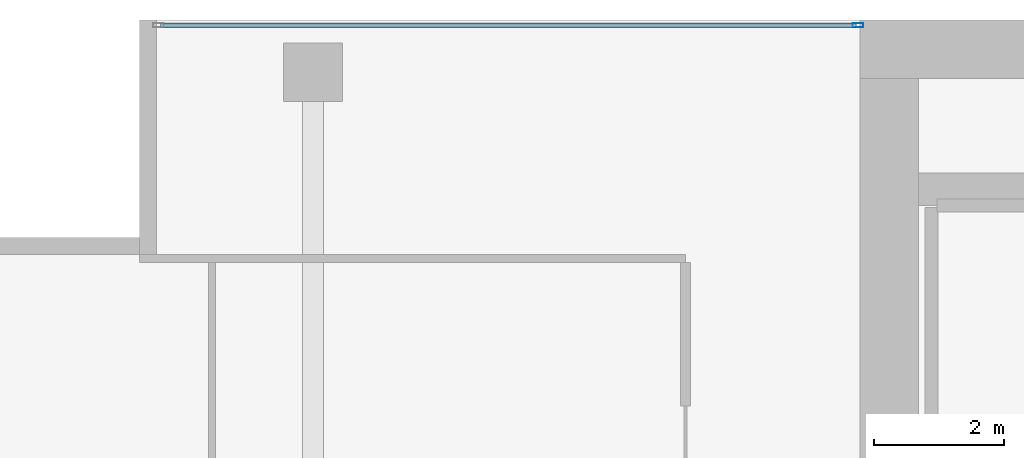
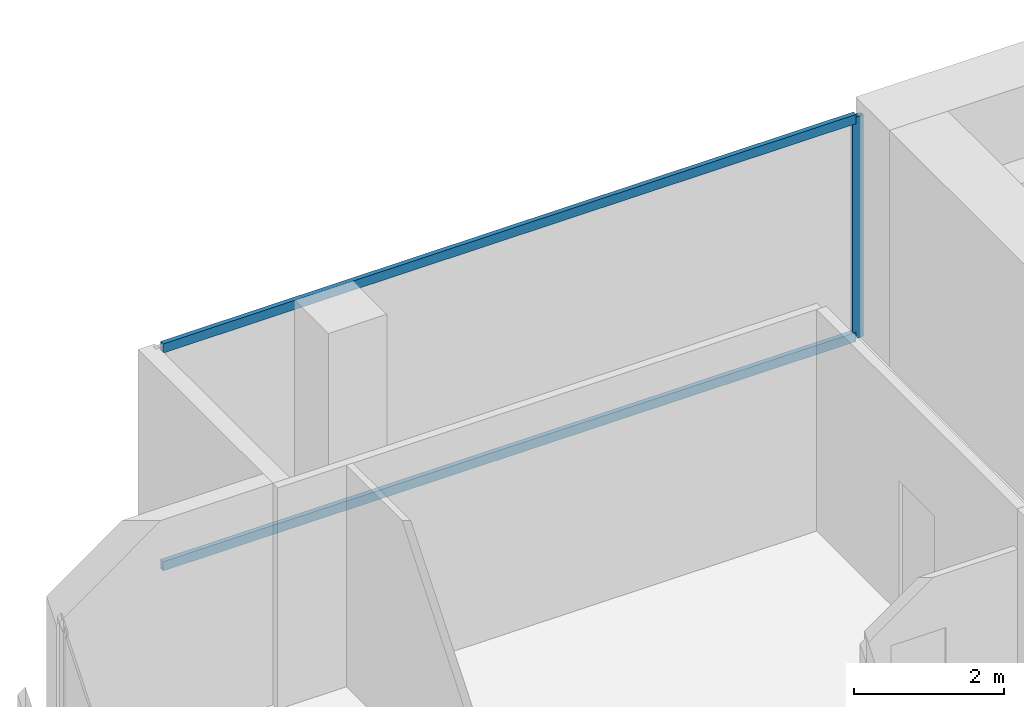
# One storey, part 26 of 40: 3 members, 1 element without a shape of its own.
"""IFC4 building model written with IfcOpenShell, lengths in metres."""

from ifc_helpers import new_model, si_unit, direction, frame, origin, origin_2d, place, context, subcontext, project, spatial, hollow_rectangle, extrude, material, layer, layer_set, material_profile, profile_set, type_object, element, aggregate, save


model = new_model("IFC4")

# Units and contexts
model_context = context("Model", 3, precision=1e-05, world=origin(), true_north=direction((0.0, 1.0)))
body_context = subcontext(model_context, "Body", "Model", "MODEL_VIEW")
ifc_project = project(units=[si_unit("LENGTHUNIT", "METRE"), si_unit("AREAUNIT", "SQUARE_METRE"), si_unit("VOLUMEUNIT", "CUBIC_METRE"), si_unit("PLANEANGLEUNIT", "RADIAN"), si_unit("MASSUNIT", "GRAM", prefix="KILO")], contexts=[model_context])

# Site, building, storey
site_placement = place(None, origin())
site = spatial("IfcSite", under=ifc_project, at=site_placement, CompositionType="ELEMENT")
building_placement = place(site_placement, origin())
building = spatial("IfcBuilding", under=site, at=building_placement, Name="Maruvema Waterfront Hotel and Observation Tower", CompositionType="ELEMENT")
storey_placement = place(building_placement, frame((0.0, 0.0, 57.75)))
storey = spatial("IfcBuildingStorey", under=building, at=storey_placement, Name="L13", CompositionType="ELEMENT", Elevation=57.75)

# Curtain wall, members
ifc_material_1 = material(Name="Anodised bronze aluminium and solar-control low-E IGU", Category="aluminium")
ifc_layer = layer(ifc_material_1, 0.159912109375, Name="Zone 1 Bronze Inner Thermal Curtain Wall System CW-02")
ifc_layer_set = layer_set([ifc_layer], Name="Anodised bronze aluminium and solar-control low-E IGU")
curtain_wall_type = type_object("IfcCurtainWallType", Name="Zone 1 Bronze Inner Thermal Curtain Wall System CW-02", PredefinedType="USERDEFINED", material=ifc_layer_set)
curtain_wall_placement = place(storey_placement, origin())
curtain_wall = element("IfcCurtainWall", 1, at=curtain_wall_placement, inside=storey, type_object=curtain_wall_type, Name="L13 Curtain Wall CW-L13-NW", ObjectType="UNITISED CURTAIN WALL", PredefinedType="USERDEFINED")
ifc_material_2 = material(Name="Anodised architectural bronze aluminium", Category="aluminium")
ifc_material_profile_1 = material_profile(ifc_material_2, hollow_rectangle(XDim=0.070068359375, YDim=0.14990234375, WallThickness=0.00390625, at=origin_2d()), Name="ALU-T70x150")
ifc_profile_set_1 = profile_set([ifc_material_profile_1], Name="Anodised architectural bronze aluminium")
member_type_1 = type_object("IfcMemberType", Name="Curtain Wall Horizontal Transom ALU-T70x150", PredefinedType="USERDEFINED", material=ifc_profile_set_1)
member_1_placement = place(storey_placement, frame((25.139892578125, 53.919921875, 0.030029296875), z_axis=(-1.0, 0.0, 0.0), x_axis=(0.0, -1.0, 0.0)))
member_1 = element("IfcMember", 2, at=member_1_placement, type_object=member_type_1, Name="CW-02 transom 1.1", ObjectType="TRANSOM", PredefinedType="USERDEFINED", context=body_context, shape_type="SweptSolid", body=[
    extrude(hollow_rectangle(XDim=0.070068359375, YDim=0.14990234375, WallThickness=0.00390625, at=origin_2d()), origin(), (0.0, 0.0, 1.0), 10.679931640625),
])
member_2_placement = place(storey_placement, frame((25.139892578125, 53.919921875, 3.580078125), z_axis=(-1.0, 0.0, 0.0), x_axis=(0.0, -1.0, 0.0)))
member_2 = element("IfcMember", 3, at=member_2_placement, type_object=member_type_1, Name="CW-02 transom 1.2", ObjectType="TRANSOM", PredefinedType="USERDEFINED", context=body_context, shape_type="SweptSolid", body=[
    extrude(hollow_rectangle(XDim=0.070068359375, YDim=0.14990234375, WallThickness=0.00390625, at=origin_2d()), origin(), (0.0, 0.0, 1.0), 10.679931640625),
])
ifc_material_3 = material(Name="Anodised architectural bronze aluminium", Category="aluminium")
ifc_material_profile_2 = material_profile(ifc_material_3, hollow_rectangle(XDim=0.06494140625, YDim=0.1650390625, WallThickness=0.00390625, at=origin_2d()), Name="ALU-M65x165")
ifc_profile_set_2 = profile_set([ifc_material_profile_2], Name="Anodised architectural bronze aluminium")
member_type_2 = type_object("IfcMemberType", Name="Curtain Wall Primary Mullion ALU-M65x165", PredefinedType="MULLION", material=ifc_profile_set_2)
member_3_placement = place(storey_placement, frame((25.169921875, 53.919921875, 0.0), z_axis=(0.0, 0.0, 1.0), x_axis=(0.0, -1.0, 0.0)))
member_3 = element("IfcMember", 4, at=member_3_placement, type_object=member_type_2, Name="CW-02 mullion 1", PredefinedType="MULLION", context=body_context, shape_type="SweptSolid", body=[
    extrude(hollow_rectangle(XDim=0.06494140625, YDim=0.1650390625, WallThickness=0.00390625, at=origin_2d()), origin(), (0.0, 0.0, 1.0), 3.610107421875),
])
aggregate(curtain_wall, [member_3, member_1, member_2])

save(model, "model.ifc")
